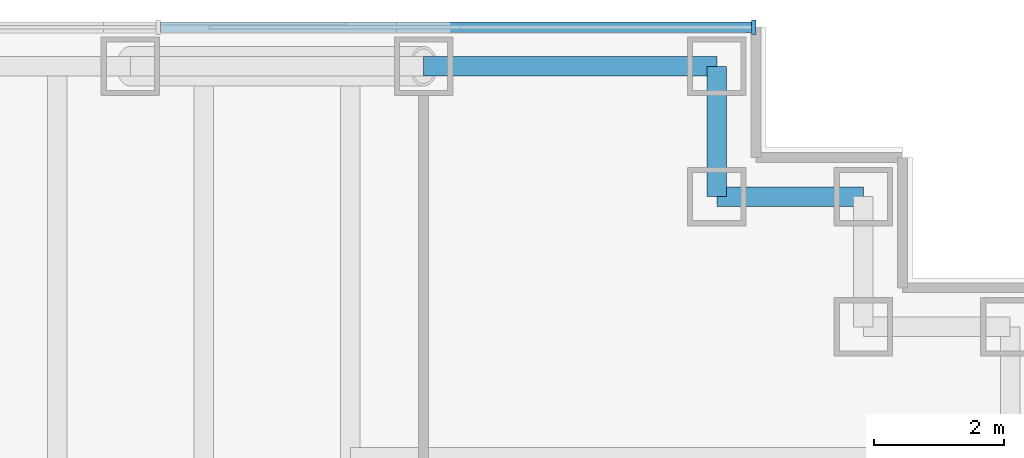
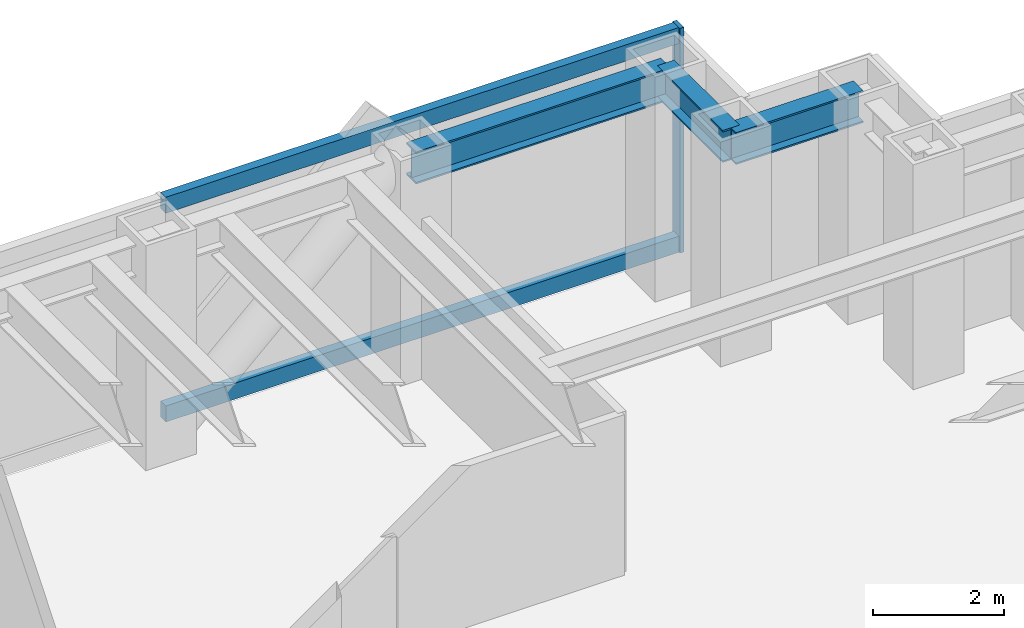
# One storey, part 9 of 19: 3 beams, 3 members, 1 element without a shape of its own.
"""IFC4 building model written with IfcOpenShell, lengths in metres."""

from ifc_helpers import new_model, si_unit, direction, frame, origin, origin_2d, place, context, subcontext, project, spatial, rectangle, i_section, extrude, material, material_profile, profile_set, type_object, element, aggregate, save


model = new_model("IFC4")

# Units and contexts
model_context = context("Model", 3, precision=1e-05, world=origin(), true_north=direction((0.0, 1.0)))
body_context = subcontext(model_context, "Body", "Model", "MODEL_VIEW")
ifc_project = project(units=[si_unit("LENGTHUNIT", "METRE"), si_unit("AREAUNIT", "SQUARE_METRE"), si_unit("VOLUMEUNIT", "CUBIC_METRE"), si_unit("PLANEANGLEUNIT", "RADIAN"), si_unit("MASSUNIT", "GRAM", prefix="KILO")], contexts=[model_context])

# Site, building, storey
site_placement = place(None, origin())
site = spatial("IfcSite", under=ifc_project, at=site_placement, CompositionType="ELEMENT")
building_placement = place(site_placement, origin())
building = spatial("IfcBuilding", under=site, at=building_placement, Name="Rheinbord Bourse Tower", CompositionType="ELEMENT")
storey_placement = place(building_placement, frame((0.0, 0.0, 206.800048828125)))
storey = spatial("IfcBuildingStorey", under=building, at=storey_placement, Name="L46", CompositionType="ELEMENT", Elevation=206.800048828125)

# Curtain wall, members
ifc_material_1 = material(Name="Dark glass and black aluminium", Category="aluminium")
curtain_wall_type = type_object("IfcCurtainWallType", Name="CW2 DARK GLASS CURTAIN WALL", PredefinedType="USERDEFINED", material=ifc_material_1)
curtain_wall_placement = place(storey_placement, origin())
curtain_wall = element("IfcCurtainWall", 1, at=curtain_wall_placement, inside=storey, type_object=curtain_wall_type, Name="Curtain wall CW2 N L46", ObjectType="UNITISED CURTAIN WALL", PredefinedType="USERDEFINED")
ifc_material_2 = material(Name="Black anodised aluminium", Category="aluminium")
ifc_material_profile_1 = material_profile(ifc_material_2, rectangle(XDim=0.219970703125, YDim=0.070068359375, at=origin_2d()), Name="CW2 MULLION 70x220")
ifc_profile_set_1 = profile_set([ifc_material_profile_1], Name="Black anodised aluminium")
member_type_1 = type_object("IfcMemberType", Name="CW2 BLACK MULLION", PredefinedType="MULLION", material=ifc_profile_set_1)
member_1_placement = place(storey_placement, frame((68.06494140625, 44.60009765625, 0.0), z_axis=(0.0, 0.0, 1.0), x_axis=(0.0, -1.0, 0.0)))
member_1 = element("IfcMember", 2, at=member_1_placement, type_object=member_type_1, Name="CW2 mullion 1", PredefinedType="MULLION", context=body_context, shape_type="SweptSolid", body=[
    extrude(rectangle(XDim=0.219970703125, YDim=0.070068359375, at=origin_2d()), origin(), (0.0, 0.0, 1.0), 4.199951171875),
])
ifc_material_3 = material(Name="Black anodised aluminium", Category="aluminium")
ifc_material_profile_2 = material_profile(ifc_material_3, rectangle(XDim=0.159912109375, YDim=0.300048828125, at=origin_2d()), Name="CW2 TRANSOM 300x160")
ifc_profile_set_2 = profile_set([ifc_material_profile_2], Name="Black anodised aluminium")
member_type_2 = type_object("IfcMemberType", Name="CW2 BLACK TRANSOM", PredefinedType="USERDEFINED", material=ifc_profile_set_2)
member_2_placement = place(storey_placement, frame((68.030029296875, 44.60009765625, 0.14990234375), z_axis=(-1.0, 0.0, 0.0), x_axis=(0.0, -1.0, 0.0)))
member_2 = element("IfcMember", 3, at=member_2_placement, type_object=member_type_2, Name="CW2 transom 1.1", ObjectType="TRANSOM", PredefinedType="USERDEFINED", context=body_context, shape_type="SweptSolid", body=[
    extrude(rectangle(XDim=0.159912109375, YDim=0.300048828125, at=origin_2d()), origin(), (0.0, 0.0, 1.0), 9.06640625),
])
member_3_placement = place(storey_placement, frame((68.030029296875, 44.60009765625, 4.050048828125), z_axis=(-1.0, 0.0, 0.0), x_axis=(0.0, -1.0, 0.0)))
member_3 = element("IfcMember", 4, at=member_3_placement, type_object=member_type_2, Name="CW2 transom 1.2", ObjectType="TRANSOM", PredefinedType="USERDEFINED", context=body_context, shape_type="SweptSolid", body=[
    extrude(rectangle(XDim=0.159912109375, YDim=0.300048828125, at=origin_2d()), origin(), (0.0, 0.0, 1.0), 9.06640625),
])
aggregate(curtain_wall, [member_1, member_2, member_3])

# Beams
ifc_material_4 = material(Name="Steel S460", Category="steel")
ifc_material_profile_3 = material_profile(ifc_material_4, i_section(OverallWidth=0.300048828125, OverallDepth=0.60009765625, WebThickness=0.015380859375, FlangeThickness=0.030029296875, at=origin_2d()), Name="HEB 600")
ifc_profile_set_3 = profile_set([ifc_material_profile_3], Name="Steel S460")
beam_type = type_object("IfcBeamType", Name="SPANDREL HEB 600", PredefinedType="SPANDREL", material=ifc_profile_set_3)
beam_1_placement = place(storey_placement, frame((69.75, 42.0, 3.739990234375), z_axis=(-1.0, 0.0, 0.0), x_axis=(0.0, -1.0, 0.0)))
element("IfcBeam", 5, at=beam_1_placement, inside=storey, type_object=beam_type, Name="Spandrel NE-C-NE-D under L47", PredefinedType="SPANDREL", context=body_context, shape_type="SweptSolid", body=[
    extrude(i_section(OverallWidth=0.300048828125, OverallDepth=0.60009765625, WebThickness=0.015380859375, FlangeThickness=0.030029296875, at=origin_2d()), origin(), (0.0, 0.0, 1.0), 2.25),
])
beam_2_placement = place(storey_placement, frame((67.5, 42.0, 3.739990234375), z_axis=(0.0, 1.0, 0.0), x_axis=(-1.0, 0.0, 0.0)))
element("IfcBeam", 6, at=beam_2_placement, inside=storey, type_object=beam_type, Name="Spandrel NE-D-NE-E under L47", PredefinedType="SPANDREL", context=body_context, shape_type="SweptSolid", body=[
    extrude(i_section(OverallWidth=0.300048828125, OverallDepth=0.60009765625, WebThickness=0.015380859375, FlangeThickness=0.030029296875, at=origin_2d()), origin(), (0.0, 0.0, 1.0), 2.0),
])
beam_3_placement = place(storey_placement, frame((67.5, 44.0, 3.739990234375), z_axis=(-1.0, 0.0, 0.0), x_axis=(0.0, -1.0, 0.0)))
element("IfcBeam", 7, at=beam_3_placement, inside=storey, type_object=beam_type, Name="Spandrel NE-E-N-63 under L47", PredefinedType="SPANDREL", context=body_context, shape_type="SweptSolid", body=[
    extrude(i_section(OverallWidth=0.300048828125, OverallDepth=0.60009765625, WebThickness=0.015380859375, FlangeThickness=0.030029296875, at=origin_2d()), origin(), (0.0, 0.0, 1.0), 4.5),
])

save(model, "model.ifc")
